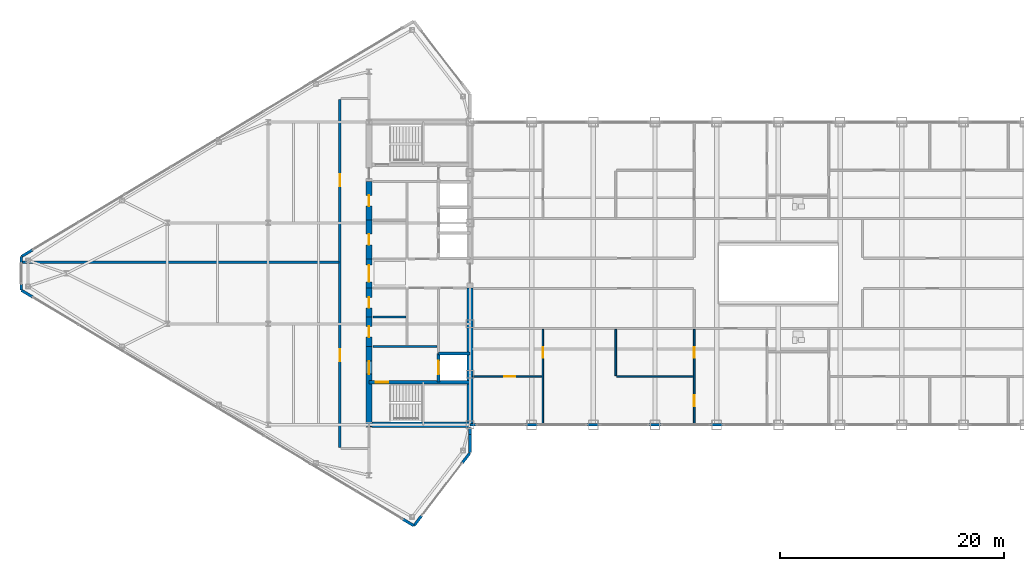
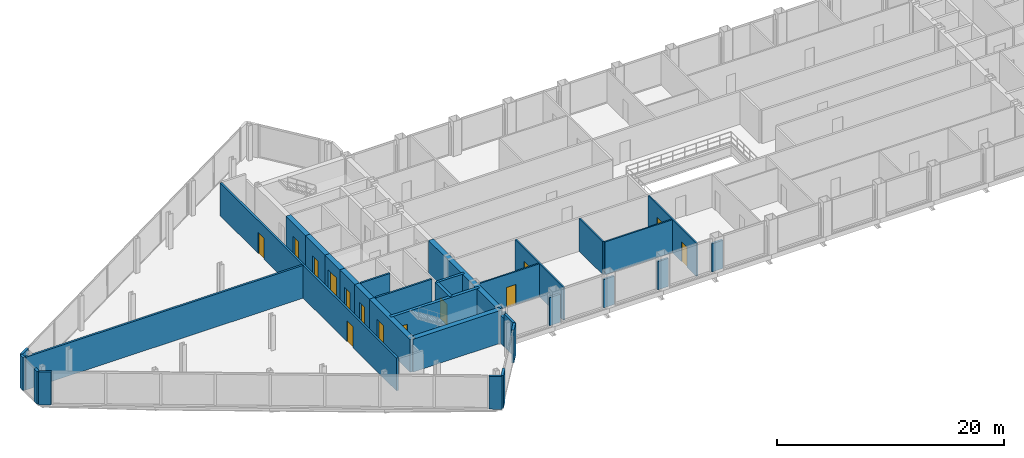
# One storey, part 21 of 29: 34 walls, 14 doors, 14 openings.
"""IFC4 building model written with IfcOpenShell, lengths in metres."""

from ifc_helpers import new_model, si_unit, direction, frame, frame_2d, origin, place, context, subcontext, project, spatial, rectangle, extrude, source, transform, mapped, material, layer, layer_set, type_object, type_shapes, element, fill, save


model = new_model("IFC4")

# Units and contexts
model_context = context("Model", 3, precision=1e-05, world=origin(), true_north=direction((0.0, 1.0)))
body_context = subcontext(model_context, "Body", "Model", "MODEL_VIEW")
ifc_project = project(units=[si_unit("LENGTHUNIT", "METRE"), si_unit("AREAUNIT", "SQUARE_METRE"), si_unit("VOLUMEUNIT", "CUBIC_METRE"), si_unit("PLANEANGLEUNIT", "RADIAN"), si_unit("MASSUNIT", "GRAM", prefix="KILO")], contexts=[model_context])

# Site, building, storey
site_placement = place(None, origin())
site = spatial("IfcSite", under=ifc_project, at=site_placement, CompositionType="ELEMENT")
building_placement = place(site_placement, origin())
building = spatial("IfcBuilding", under=site, at=building_placement, Name="Seokmaru Belvedere", CompositionType="ELEMENT")
storey_placement = place(building_placement, frame((0.0, 0.0, 258.14990234375)))
storey = spatial("IfcBuildingStorey", under=building, at=storey_placement, Name="L68", CompositionType="ELEMENT", Elevation=258.14990234375)

# Wall, opening, door
ifc_material_1 = material(Name="Fire-Rated Gypsum Shaftwall")
ifc_layer_1 = layer(ifc_material_1, 0.14990234375)
ifc_layer_set_1 = layer_set([ifc_layer_1], Name="Fire-Rated Gypsum Shaftwall")
wall_type_1 = type_object("IfcWallType", Name="Apartment Fire-Acoustic Room Partition 150", PredefinedType="PARTITIONING", material=ifc_layer_set_1)
wall_1_placement = place(storey_placement, frame((-27.2451171875, -9.199951171875, 0.0), z_axis=(0.0, 0.0, 1.0), x_axis=(1.0, 0.0, 0.0)))
wall_1 = element("IfcWall", 1, at=wall_1_placement, inside=storey, type_object=wall_type_1, Name="L68 Interior Partition 004", PredefinedType="PARTITIONING", context=body_context, shape_type="SweptSolid", body=[
    extrude(rectangle(XDim=6.16015625, YDim=0.14990234375, at=frame_2d((3.080078125, 0.0))), origin(), (0.0, 0.0, 1.0), 3.530029296875),
])
opening_1_placement = place(wall_1_placement, frame((2.820068359375, 0.0, 0.0)))
opening_1 = element("IfcOpeningElement", 2, at=opening_1_placement, cuts=wall_1, Name="Opening D05", PredefinedType="OPENING", context=body_context, shape_type="SweptSolid", body=[
    extrude(rectangle(XDim=0.949951171875, YDim=2.14990234375, at=frame_2d((0.47509765625, 1.074951171875))), frame((0.0, 0.0849609375, 0.0), z_axis=(0.0, -1.0, 0.0), x_axis=(1.0, 0.0, 0.0)), (0.0, 0.0, 1.0), 0.169921875),
])
ifc_material_2 = material(Name="Engineered White Oak Timber", Category="wood")
door_type_1 = type_object("IfcDoorType", Name="Apartment Interior Fire-Rated Oak Door 950x2150", OperationType="NOTDEFINED", PredefinedType="DOOR", material=ifc_material_2)
shared_shape_1 = source(origin(), body_context, "Body", "SweptSolid", [
    extrude(rectangle(XDim=0.949951171875, YDim=2.14990234375, at=frame_2d((0.47509765625, 1.074951171875))), frame((0.0, 0.02490234375, 0.0), z_axis=(0.0, -1.0, 0.0), x_axis=(1.0, 0.0, 0.0)), (0.0, 0.0, 1.0), 0.050048828125),
])
type_shapes(door_type_1, [shared_shape_1])
door_1_placement = place(opening_1_placement, origin())
door_1 = element("IfcDoor", 3, at=door_1_placement, inside=storey, type_object=door_type_1, Name="L68 Interior Door 024", OperationType="SINGLE_SWING_RIGHT", OverallHeight=2.14990234375, OverallWidth=0.949951171875, PredefinedType="DOOR", context=body_context, shape_type="MappedRepresentation", body=[
    mapped(shared_shape_1, transform((0.0, 0.0, 0.0), scale=1.0)),
])
fill(opening_1, door_1)

# Wall
wall_2_placement = place(storey_placement, frame((-14.4150390625, -9.199951171875, 0.0), z_axis=(0.0, 0.0, 1.0), x_axis=(1.0, 0.0, 0.0)))
element("IfcWall", 4, at=wall_2_placement, inside=storey, type_object=wall_type_1, Name="L68 Interior Partition 005", PredefinedType="PARTITIONING", context=body_context, shape_type="SweptSolid", body=[
    extrude(rectangle(XDim=6.830078125, YDim=0.14990234375, at=frame_2d((3.4150390625, 0.0))), origin(), (0.0, 0.0, 1.0), 3.530029296875),
])

# Wall, opening, door
wall_3_placement = place(storey_placement, frame((-21.0, -13.5, 0.0), z_axis=(0.0, 0.0, 1.0), x_axis=(0.0, 1.0, 0.0)))
wall_3 = element("IfcWall", 5, at=wall_3_placement, inside=storey, type_object=wall_type_1, Name="L68 Interior Partition 029", PredefinedType="PARTITIONING", context=body_context, shape_type="SweptSolid", body=[
    extrude(rectangle(XDim=8.514892578125, YDim=0.14990234375, at=frame_2d((4.25732421875, 0.0))), origin(), (0.0, 0.0, 1.0), 3.530029296875),
])
opening_2_placement = place(wall_3_placement, frame((5.97509765625, 0.0, 0.0)))
opening_2 = element("IfcOpeningElement", 6, at=opening_2_placement, cuts=wall_3, Name="Opening D05", PredefinedType="OPENING", context=body_context, shape_type="SweptSolid", body=[
    extrude(rectangle(XDim=0.949951171875, YDim=2.14990234375, at=frame_2d((0.47509765625, 1.074951171875))), frame((0.0, 0.0849609375, 0.0), z_axis=(0.0, -1.0, 0.0), x_axis=(1.0, 0.0, 0.0)), (0.0, 0.0, 1.0), 0.169921875),
])
door_2_placement = place(opening_2_placement, origin())
door_2 = element("IfcDoor", 7, at=door_2_placement, inside=storey, type_object=door_type_1, Name="L68 Interior Door 023", OperationType="SINGLE_SWING_LEFT", OverallHeight=2.14990234375, OverallWidth=0.949951171875, PredefinedType="DOOR", context=body_context, shape_type="MappedRepresentation", body=[
    mapped(shared_shape_1, transform((0.0, 0.0, 0.0), scale=1.0)),
])
fill(opening_2, door_2)

# Wall
wall_4_placement = place(storey_placement, frame((-14.5, -9.114990234375, 0.0), z_axis=(0.0, 0.0, 1.0), x_axis=(0.0, 1.0, 0.0)))
element("IfcWall", 8, at=wall_4_placement, inside=storey, type_object=wall_type_1, Name="L68 Interior Partition 031", PredefinedType="PARTITIONING", context=body_context, shape_type="SweptSolid", body=[
    extrude(rectangle(XDim=4.1298828125, YDim=0.14990234375, at=frame_2d((2.06494140625, 0.0))), origin(), (0.0, 0.0, 1.0), 3.530029296875),
])

# Wall, openings, doors
wall_5_placement = place(storey_placement, frame((-7.5, -13.5, 0.0), z_axis=(0.0, 0.0, 1.0), x_axis=(0.0, 1.0, 0.0)))
wall_5 = element("IfcWall", 9, at=wall_5_placement, inside=storey, type_object=wall_type_1, Name="L68 Interior Partition 033", PredefinedType="PARTITIONING", context=body_context, shape_type="SweptSolid", body=[
    extrude(rectangle(XDim=8.514892578125, YDim=0.14990234375, at=frame_2d((4.25732421875, 0.0))), origin(), (0.0, 0.0, 1.0), 3.530029296875),
])
opening_3_placement = place(wall_5_placement, frame((5.97509765625, 0.0, 0.0)))
opening_3 = element("IfcOpeningElement", 10, at=opening_3_placement, cuts=wall_5, Name="Opening D05", PredefinedType="OPENING", context=body_context, shape_type="SweptSolid", body=[
    extrude(rectangle(XDim=0.949951171875, YDim=2.14990234375, at=frame_2d((0.47509765625, 1.074951171875))), frame((0.0, 0.0849609375, 0.0), z_axis=(0.0, -1.0, 0.0), x_axis=(1.0, 0.0, 0.0)), (0.0, 0.0, 1.0), 0.169921875),
])
opening_4_placement = place(wall_5_placement, frame((1.675048828125, 0.0, 0.0)))
opening_4 = element("IfcOpeningElement", 11, at=opening_4_placement, cuts=wall_5, Name="Opening D05", PredefinedType="OPENING", context=body_context, shape_type="SweptSolid", body=[
    extrude(rectangle(XDim=0.949951171875, YDim=2.14990234375, at=frame_2d((0.47509765625, 1.074951171875))), frame((0.0, 0.0849609375, 0.0), z_axis=(0.0, -1.0, 0.0), x_axis=(1.0, 0.0, 0.0)), (0.0, 0.0, 1.0), 0.169921875),
])
door_3_placement = place(opening_3_placement, origin())
door_3 = element("IfcDoor", 12, at=door_3_placement, inside=storey, type_object=door_type_1, Name="L68 Interior Door 021", OperationType="SINGLE_SWING_LEFT", OverallHeight=2.14990234375, OverallWidth=0.949951171875, PredefinedType="DOOR", context=body_context, shape_type="MappedRepresentation", body=[
    mapped(shared_shape_1, transform((0.0, 0.0, 0.0), scale=1.0)),
])
fill(opening_3, door_3)
door_4_placement = place(opening_4_placement, origin())
door_4 = element("IfcDoor", 13, at=door_4_placement, inside=storey, type_object=door_type_1, Name="L68 Interior Door 022", OperationType="SINGLE_SWING_RIGHT", OverallHeight=2.14990234375, OverallWidth=0.949951171875, PredefinedType="DOOR", context=body_context, shape_type="MappedRepresentation", body=[
    mapped(shared_shape_1, transform((0.0, 0.0, 0.0), scale=1.0)),
])
fill(opening_4, door_4)

# Walls
ifc_material_3 = material(Name="Anodised Bronze Aluminium", Category="aluminium")
ifc_layer_2 = layer(ifc_material_3, 0.2099609375)
ifc_layer_set_2 = layer_set([ifc_layer_2], Name="Anodised Bronze Aluminium")
wall_type_2 = type_object("IfcWallType", Name="Bridge Column Spandrel Closure Pier 210", PredefinedType="SOLIDWALL", material=ifc_layer_set_2)
wall_6_placement = place(storey_placement, frame((-27.489990234375, -13.5, 0.0), z_axis=(0.0, 0.0, 1.0), x_axis=(1.0, 0.0, 0.0)))
element("IfcWall", 14, at=wall_6_placement, inside=storey, type_object=wall_type_2, Name="L68 Bridge South Column Closure Pier 01", PredefinedType="SOLIDWALL", context=body_context, shape_type="SweptSolid", body=[
    extrude(rectangle(XDim=0.5400390625, YDim=0.2099609375, at=frame_2d((0.27001953125, 0.0))), origin(), (0.0, 0.0, 1.0), 3.030029296875),
])
for number, where, z_axis, x_axis, name in (
    (15, (-22.550048828125, -13.5, 0.0), (0.0, 0.0, 1.0), (1.0, 0.0, 0.0), "L68 Bridge South Column Closure Pier 02"),
    (16, (-17.050048828125, -13.5, 0.0), (0.0, 0.0, 1.0), (1.0, 0.0, 0.0), "L68 Bridge South Column Closure Pier 03"),
    (17, (-11.550048828125, -13.5, 0.0), (0.0, 0.0, 1.0), (1.0, 0.0, 0.0), "L68 Bridge South Column Closure Pier 04"),
    (18, (-6.050048828125, -13.5, 0.0), (0.0, 0.0, 1.0), (1.0, 0.0, 0.0), "L68 Bridge South Column Closure Pier 05"),
):
    element("IfcWall", number, at=place(storey_placement, frame(where, z_axis=z_axis, x_axis=x_axis)), inside=storey, type_object=wall_type_2, Name=name, PredefinedType="SOLIDWALL", context=body_context, shape_type="SweptSolid", body=[
        extrude(rectangle(XDim=1.10009765625, YDim=0.2099609375, at=frame_2d((0.550048828125, 0.0))), origin(), (0.0, 0.0, 1.0), 3.030029296875),
    ])
ifc_layer_3 = layer(ifc_material_1, 0.179931640625)
ifc_layer_set_3 = layer_set([ifc_layer_3], Name="Fire-Rated Gypsum Shaftwall")
wall_type_3 = type_object("IfcWallType", Name="Core Service Fire Partition 180", PredefinedType="PARTITIONING", material=ifc_layer_set_3)
wall_7_placement = place(storey_placement, frame((-36.14990234375, -6.5, 0.0), z_axis=(0.0, 0.0, 1.0), x_axis=(1.0, 0.0, 0.0)))
element("IfcWall", 19, at=wall_7_placement, inside=storey, type_object=wall_type_3, Name="L68 West Firefighting Lobby Partition", PredefinedType="PARTITIONING", context=body_context, shape_type="SweptSolid", body=[
    extrude(rectangle(XDim=5.699951171875, YDim=0.179931640625, at=frame_2d((2.85009765625, 0.0))), origin(), (0.0, 0.0, 1.0), 3.530029296875),
])
wall_8_placement = place(storey_placement, frame((-36.14990234375, -3.89990234375, 0.0), z_axis=(0.0, 0.0, 1.0), x_axis=(1.0, 0.0, 0.0)))
element("IfcWall", 20, at=wall_8_placement, inside=storey, type_object=wall_type_3, Name="L68 West Core Service Partition 1", PredefinedType="PARTITIONING", context=body_context, shape_type="SweptSolid", body=[
    extrude(rectangle(XDim=2.949951171875, YDim=0.179931640625, at=frame_2d((1.47509765625, 0.0))), origin(), (0.0, 0.0, 1.0), 3.530029296875),
])
ifc_material_4 = material(Name="Concrete C50 (50 MPa)", Category="concrete")
ifc_layer_4 = layer(ifc_material_4, 0.25)
ifc_layer_set_4 = layer_set([ifc_layer_4], Name="Concrete C50 (50 MPa)")
wall_type_4 = type_object("IfcWallType", Name="Hoistway Transverse Concrete Divider Wall 250", PredefinedType="SHEAR", material=ifc_layer_set_4)
wall_9_placement = place(storey_placement, frame((-30.300048828125, -7.14990234375, 0.0), z_axis=(0.0, 0.0, 1.0), x_axis=(1.0, 0.0, 0.0)))
element("IfcWall", 21, at=wall_9_placement, inside=storey, type_object=wall_type_4, Name="L68 West Hoistway Divider Core Wall 1", PredefinedType="SHEAR", context=body_context, shape_type="SweptSolid", body=[
    extrude(rectangle(XDim=2.800048828125, YDim=0.25, at=frame_2d((1.39990234375, 0.0))), origin(), (0.0, 0.0, 1.0), 3.530029296875),
])
ifc_layer_5 = layer(ifc_material_1, 0.199951171875)
ifc_layer_set_5 = layer_set([ifc_layer_5], Name="Fire-Rated Gypsum Shaftwall")
wall_type_5 = type_object("IfcWallType", Name="Inter-Tenancy Fire Compartment Partition 200", PredefinedType="PARTITIONING", material=ifc_layer_set_5)
wall_10_placement = place(storey_placement, frame((-67.375, 1.0, 0.0), z_axis=(0.0, 0.0, 1.0), x_axis=(1.0, 0.0, 0.0)))
element("IfcWall", 22, at=wall_10_placement, inside=storey, type_object=wall_type_5, Name="L68 Interior Partition 015", PredefinedType="PARTITIONING", context=body_context, shape_type="SweptSolid", body=[
    extrude(rectangle(XDim=28.195068359375, YDim=0.199951171875, at=frame_2d((14.09765625, 0.0))), origin(), (0.0, 0.0, 1.0), 3.530029296875),
])

# Wall, openings, doors
wall_11_placement = place(storey_placement, frame((-39.10009765625, -15.514892578125, 0.0), z_axis=(0.0, 0.0, 1.0), x_axis=(0.0, 1.0, 0.0)))
wall_11 = element("IfcWall", 23, at=wall_11_placement, inside=storey, type_object=wall_type_5, Name="L68 Interior Partition 026", PredefinedType="PARTITIONING", context=body_context, shape_type="SweptSolid", body=[
    extrude(rectangle(XDim=31.02978515625, YDim=0.199951171875, at=frame_2d((15.514892578125, 0.0))), origin(), (0.0, 0.0, 1.0), 3.530029296875),
])
opening_5_placement = place(wall_11_placement, frame((7.68994140625, 0.0, 0.0)))
opening_5 = element("IfcOpeningElement", 24, at=opening_5_placement, cuts=wall_11, Name="Opening D03", PredefinedType="OPENING", context=body_context, shape_type="SweptSolid", body=[
    extrude(rectangle(XDim=1.050048828125, YDim=2.25, at=frame_2d((0.52490234375, 1.125))), frame((0.0, 0.10986328125, 0.0), z_axis=(0.0, -1.0, 0.0), x_axis=(1.0, 0.0, 0.0)), (0.0, 0.0, 1.0), 0.219970703125),
])
opening_6_placement = place(wall_11_placement, frame((23.2900390625, 0.0, 0.0)))
opening_6 = element("IfcOpeningElement", 25, at=opening_6_placement, cuts=wall_11, Name="Opening D03", PredefinedType="OPENING", context=body_context, shape_type="SweptSolid", body=[
    extrude(rectangle(XDim=1.050048828125, YDim=2.25, at=frame_2d((0.52490234375, 1.125))), frame((0.0, 0.10986328125, 0.0), z_axis=(0.0, -1.0, 0.0), x_axis=(1.0, 0.0, 0.0)), (0.0, 0.0, 1.0), 0.219970703125),
])
ifc_material_5 = material(Name="Fire-Rated Steel Leaf", Category="steel")
door_type_2 = type_object("IfcDoorType", Name="Apartment Entrance Fire Door 1050x2250", OperationType="NOTDEFINED", PredefinedType="DOOR", material=ifc_material_5)
shared_shape_2 = source(origin(), body_context, "Body", "SweptSolid", [
    extrude(rectangle(XDim=1.050048828125, YDim=2.25, at=frame_2d((0.52490234375, 1.125))), frame((0.0, 0.02490234375, 0.0), z_axis=(0.0, -1.0, 0.0), x_axis=(1.0, 0.0, 0.0)), (0.0, 0.0, 1.0), 0.050048828125),
])
type_shapes(door_type_2, [shared_shape_2])
door_5_placement = place(opening_5_placement, origin())
door_5 = element("IfcDoor", 26, at=door_5_placement, inside=storey, type_object=door_type_2, Name="L68 Interior Door 001", OperationType="SINGLE_SWING_RIGHT", OverallHeight=2.25, OverallWidth=1.050048828125, PredefinedType="DOOR", context=body_context, shape_type="MappedRepresentation", body=[
    mapped(shared_shape_2, transform((0.0, 0.0, 0.0), scale=1.0)),
])
fill(opening_5, door_5)
door_6_placement = place(opening_6_placement, origin())
door_6 = element("IfcDoor", 27, at=door_6_placement, inside=storey, type_object=door_type_2, Name="L68 Interior Door 002", OperationType="SINGLE_SWING_LEFT", OverallHeight=2.25, OverallWidth=1.050048828125, PredefinedType="DOOR", context=body_context, shape_type="MappedRepresentation", body=[
    mapped(shared_shape_2, transform((0.0, 0.0, 0.0), scale=1.0)),
])
fill(opening_6, door_6)

# Wall, opening, door
ifc_layer_6 = layer(ifc_material_4, 0.300048828125)
ifc_layer_set_6 = layer_set([ifc_layer_6], Name="Concrete C50 (50 MPa)")
wall_type_6 = type_object("IfcWallType", Name="Internal Core Stair and Hoistway Wall 300", PredefinedType="SHEAR", material=ifc_layer_set_6)
wall_12_placement = place(storey_placement, frame((-36.5, -9.699951171875, 0.0), z_axis=(0.0, 0.0, 1.0), x_axis=(1.0, 0.0, 0.0)))
wall_12 = element("IfcWall", 28, at=wall_12_placement, inside=storey, type_object=wall_type_6, Name="L68 West Stair ST-1 Enclosure Wall", PredefinedType="SHEAR", context=body_context, shape_type="SweptSolid", body=[
    extrude(rectangle(XDim=9.0, YDim=0.300048828125, at=frame_2d((4.5, 0.0))), origin(), (0.0, 0.0, 1.0), 3.530029296875),
])
opening_7_placement = place(wall_12_placement, frame((0.60009765625, 0.0, 0.0)))
opening_7 = element("IfcOpeningElement", 29, at=opening_7_placement, cuts=wall_12, Name="Opening D01", PredefinedType="OPENING", context=body_context, shape_type="SweptSolid", body=[
    extrude(rectangle(XDim=1.10009765625, YDim=2.199951171875, at=frame_2d((0.550048828125, 1.10009765625))), frame((0.0, 0.16015625, 0.0), z_axis=(0.0, -1.0, 0.0), x_axis=(1.0, 0.0, 0.0)), (0.0, 0.0, 1.0), 0.320068359375),
])
door_type_3 = type_object("IfcDoorType", Name="Special Escape Stair Smokeproof Fire Door 1100x2200", OperationType="NOTDEFINED", PredefinedType="DOOR", material=ifc_material_5)
shared_shape_3 = source(origin(), body_context, "Body", "SweptSolid", [
    extrude(rectangle(XDim=1.10009765625, YDim=2.199951171875, at=frame_2d((0.550048828125, 1.10009765625))), frame((0.0, 0.02490234375, 0.0), z_axis=(0.0, -1.0, 0.0), x_axis=(1.0, 0.0, 0.0)), (0.0, 0.0, 1.0), 0.050048828125),
])
type_shapes(door_type_3, [shared_shape_3])
door_7_placement = place(opening_7_placement, frame((1.10009765625, 0.0, 0.0), z_axis=(0.0, 0.0, 1.0), x_axis=(-1.0, 0.0, 0.0)))
door_7 = element("IfcDoor", 30, at=door_7_placement, inside=storey, type_object=door_type_3, Name="L68 West Special Escape Stair ST-1 Door", OperationType="SINGLE_SWING_LEFT", OverallHeight=2.199951171875, OverallWidth=1.10009765625, PredefinedType="DOOR", context=body_context, shape_type="MappedRepresentation", body=[
    mapped(shared_shape_3, transform((0.0, 0.0, 0.0), scale=1.0)),
])
fill(opening_7, door_7)

wall_13_placement = place(storey_placement, frame((-30.300048828125, -9.679931640625, 0.0), z_axis=(0.0, 0.0, 1.0), x_axis=(0.0, 1.0, 0.0)))
wall_13 = element("IfcWall", 31, at=wall_13_placement, inside=storey, type_object=wall_type_6, Name="L68 West Firefighting Lift Shaft Front Wall", PredefinedType="SHEAR", context=body_context, shape_type="SweptSolid", body=[
    extrude(rectangle(XDim=2.559814453125, YDim=0.300048828125, at=frame_2d((1.27978515625, 0.0))), origin(), (0.0, 0.0, 1.0), 3.530029296875),
])
opening_8_placement = place(wall_13_placement, frame((0.679931640625, 0.0, 0.0)))
opening_8 = element("IfcOpeningElement", 32, at=opening_8_placement, cuts=wall_13, Name="Opening LD2", PredefinedType="OPENING", context=body_context, shape_type="SweptSolid", body=[
    extrude(rectangle(XDim=1.199951171875, YDim=2.25, at=frame_2d((0.60009765625, 1.125))), frame((0.0, 0.16015625, 0.0), z_axis=(0.0, -1.0, 0.0), x_axis=(1.0, 0.0, 0.0)), (0.0, 0.0, 1.0), 0.320068359375),
])
ifc_material_6 = material(Name="Stainless Steel 316", Category="steel")
door_type_4 = type_object("IfcDoorType", Name="Firefighting Lift Sliding Landing Door 1200x2250", OperationType="DOUBLE_DOOR_SLIDING", PredefinedType="DOOR", material=ifc_material_6)
shared_shape_4 = source(origin(), body_context, "Body", "SweptSolid", [
    extrude(rectangle(XDim=1.199951171875, YDim=2.25, at=frame_2d((0.60009765625, 1.125))), frame((0.0, 0.02490234375, 0.0), z_axis=(0.0, -1.0, 0.0), x_axis=(1.0, 0.0, 0.0)), (0.0, 0.0, 1.0), 0.050048828125),
])
type_shapes(door_type_4, [shared_shape_4])
door_8_placement = place(opening_8_placement, origin())
door_8 = element("IfcDoor", 33, at=door_8_placement, inside=storey, type_object=door_type_4, Name="L68 West Firefighting Lift Landing Door", OperationType="DOUBLE_DOOR_SLIDING", OverallHeight=2.25, OverallWidth=1.199951171875, PredefinedType="DOOR", context=body_context, shape_type="MappedRepresentation", body=[
    mapped(shared_shape_4, transform((0.0, 0.0, 0.0), scale=1.0)),
])
fill(opening_8, door_8)

# Walls
ifc_layer_7 = layer(ifc_material_3, 0.239990234375)
ifc_layer_set_7 = layer_set([ifc_layer_7], Name="Anodised Bronze Aluminium")
wall_type_7 = type_object("IfcWallType", Name="Tower Corner Spandrel Closure Wall 240", PredefinedType="SOLIDWALL", material=ifc_layer_set_7)
wall_14_placement = place(storey_placement, frame((-27.5, -15.97998046875, 0.0), z_axis=(0.0, 0.0, 1.0), x_axis=(0.0, 1.0, 0.0)))
element("IfcWall", 34, at=wall_14_placement, inside=storey, type_object=wall_type_7, Name="L68 W Shoulder Closure Wall 1", PredefinedType="SOLIDWALL", context=body_context, shape_type="SweptSolid", body=[
    extrude(rectangle(XDim=1.605224609375, YDim=0.239990234375, at=frame_2d((0.802734375, 0.0))), origin(), (0.0, 0.0, 1.0), 3.530029296875),
])
wall_15_placement = place(storey_placement, frame((-27.5, -14.374755859375, 0.0), z_axis=(0.0, 0.0, 1.0), x_axis=(0.0, 1.0, 0.0)))
element("IfcWall", 35, at=wall_15_placement, inside=storey, type_object=wall_type_7, Name="L68 W Shoulder Closure Wall 1 Part 2", PredefinedType="SOLIDWALL", context=body_context, shape_type="SweptSolid", body=[
    extrude(rectangle(XDim=0.619873046875, YDim=0.239990234375, at=frame_2d((0.31005859375, 0.0))), origin(), (0.0, 0.0, 1.0), 3.030029296875),
])
wall_16_placement = place(storey_placement, frame((-66.513916015625, 2.091796875, 0.0), z_axis=(0.0, 0.0, 1.0), x_axis=(-0.85743623509, -0.514590228002, 0.0)))
element("IfcWall", 36, at=wall_16_placement, inside=storey, type_object=wall_type_7, Name="L68 W Corner Closure Pier 3B", PredefinedType="SOLIDWALL", context=body_context, shape_type="SweptSolid", body=[
    extrude(rectangle(XDim=1.14013671875, YDim=0.239990234375, at=frame_2d((0.570068359375, 0.0))), origin(), (0.0, 0.0, 1.0), 3.530029296875),
])
for number, where, z_axis, x_axis, name in (
    (37, (-67.5, 1.489990234375, 0.0), (0.0, 0.0, 1.0), (0.0, -1.0, 0.0), "L68 W Apex Closure Pier 4A"),
    (38, (-67.5, -0.949951171875, 0.0), (0.0, 0.0, 1.0), (0.0, -1.0, 0.0), "L68 W Apex Closure Pier 4B"),
):
    element("IfcWall", number, at=place(storey_placement, frame(where, z_axis=z_axis, x_axis=x_axis)), inside=storey, type_object=wall_type_7, Name=name, PredefinedType="SOLIDWALL", context=body_context, shape_type="SweptSolid", body=[
        extrude(rectangle(XDim=0.5400390625, YDim=0.239990234375, at=frame_2d((0.27001953125, 0.0))), origin(), (0.0, 0.0, 1.0), 3.530029296875),
    ])
for number, where, z_axis, x_axis, name in (
    (39, (-67.491455078125, -1.505126953125, 0.0), (0.0, 0.0, 1.0), (0.85743623509, -0.514590228002, 0.0), "L68 W Corner Closure Pier 5A"),
    (40, (-33.486083984375, -21.908203125, 0.0), (0.0, 0.0, 1.0), (0.85743623509, -0.514590228002, 0.0), "L68 W Corner Closure Pier 5B"),
    (41, (-32.493896484375, -22.4921875, 0.0), (0.0, 0.0, 1.0), (0.609617623633, 0.792695624408, 0.0), "L68 W Corner Closure Pier 6A"),
    (42, (-28.201171875, -16.91162109375, 0.0), (0.0, 0.0, 1.0), (0.609617623633, 0.792695624408, 0.0), "L68 W Corner Closure Pier 6B"),
):
    element("IfcWall", number, at=place(storey_placement, frame(where, z_axis=z_axis, x_axis=x_axis)), inside=storey, type_object=wall_type_7, Name=name, PredefinedType="SOLIDWALL", context=body_context, shape_type="SweptSolid", body=[
        extrude(rectangle(XDim=1.14013671875, YDim=0.239990234375, at=frame_2d((0.570068359375, 0.0))), origin(), (0.0, 0.0, 1.0), 3.530029296875),
    ])
ifc_layer_8 = layer(ifc_material_4, 0.5)
ifc_layer_set_8 = layer_set([ifc_layer_8], Name="Concrete C50 (50 MPa)")
wall_type_8 = type_object("IfcWallType", Name="Upper Tower Reinforced Concrete Core Wall 500", PredefinedType="SHEAR", material=ifc_layer_set_8)
wall_17_placement = place(storey_placement, frame((-27.5, -13.5, 0.0), z_axis=(0.0, 0.0, 1.0), x_axis=(0.0, 1.0, 0.0)))
element("IfcWall", 43, at=wall_17_placement, inside=storey, type_object=wall_type_8, Name="L68 West Portal Spine Core Wall South", PredefinedType="SHEAR", context=body_context, shape_type="SweptSolid", body=[
    extrude(rectangle(XDim=12.199951171875, YDim=0.5, at=frame_2d((6.10009765625, 0.0))), origin(), (0.0, 0.0, 1.0), 3.530029296875),
])
wall_18_placement = place(storey_placement, frame((-36.5, -13.5, 0.0), z_axis=(0.0, 0.0, 1.0), x_axis=(1.0, 0.0, 0.0)))
element("IfcWall", 44, at=wall_18_placement, inside=storey, type_object=wall_type_8, Name="L68 West South Core Wall", PredefinedType="SHEAR", context=body_context, shape_type="SweptSolid", body=[
    extrude(rectangle(XDim=9.0, YDim=0.5, at=frame_2d((4.5, 0.0))), origin(), (0.0, 0.0, 1.0), 3.530029296875),
])

# Wall, opening, door
wall_19_placement = place(storey_placement, frame((-36.5, -13.64990234375, 0.0), z_axis=(0.0, 0.0, 1.0), x_axis=(0.0, 1.0, 0.0)))
wall_19 = element("IfcWall", 45, at=wall_19_placement, inside=storey, type_object=wall_type_8, Name="L68 West West Core Wall FF", PredefinedType="SHEAR", context=body_context, shape_type="SweptSolid", body=[
    extrude(rectangle(XDim=7.14990234375, YDim=0.5, at=frame_2d((3.574951171875, 0.0))), origin(), (0.0, 0.0, 1.0), 3.530029296875),
])
opening_9_placement = place(wall_19_placement, frame((4.675048828125, 0.0, 0.0)))
opening_9 = element("IfcOpeningElement", 46, at=opening_9_placement, cuts=wall_19, Name="Opening D02", PredefinedType="OPENING", context=body_context, shape_type="SweptSolid", body=[
    extrude(rectangle(XDim=1.14990234375, YDim=2.199951171875, at=frame_2d((0.574951171875, 1.10009765625))), frame((0.0, 0.260009765625, 0.0), z_axis=(0.0, -1.0, 0.0), x_axis=(1.0, 0.0, 0.0)), (0.0, 0.0, 1.0), 0.52001953125),
])
door_type_5 = type_object("IfcDoorType", Name="Lobby and Vestibule Fire Door 1150x2200", OperationType="NOTDEFINED", PredefinedType="DOOR", material=ifc_material_5)
shared_shape_5 = source(origin(), body_context, "Body", "SweptSolid", [
    extrude(rectangle(XDim=1.14990234375, YDim=2.199951171875, at=frame_2d((0.574951171875, 1.10009765625))), frame((0.0, 0.02490234375, 0.0), z_axis=(0.0, -1.0, 0.0), x_axis=(1.0, 0.0, 0.0)), (0.0, 0.0, 1.0), 0.050048828125),
])
type_shapes(door_type_5, [shared_shape_5])
door_9_placement = place(opening_9_placement, frame((1.14990234375, 0.0, 0.0), z_axis=(0.0, 0.0, 1.0), x_axis=(-1.0, 0.0, 0.0)))
door_9 = element("IfcDoor", 47, at=door_9_placement, inside=storey, type_object=door_type_5, Name="L68 West Firefighting Lobby Door", OperationType="SINGLE_SWING_LEFT", OverallHeight=2.199951171875, OverallWidth=1.14990234375, PredefinedType="DOOR", context=body_context, shape_type="MappedRepresentation", body=[
    mapped(shared_shape_5, transform((0.0, 0.0, 0.0), scale=1.0)),
])
fill(opening_9, door_9)

wall_20_placement = place(storey_placement, frame((-36.5, -1.300048828125, 0.0), z_axis=(0.0, 0.0, 1.0), x_axis=(0.0, 1.0, 0.0)))
wall_20 = element("IfcWall", 48, at=wall_20_placement, inside=storey, type_object=wall_type_8, Name="L68 West West Core Wall FOY", PredefinedType="SHEAR", context=body_context, shape_type="SweptSolid", body=[
    extrude(rectangle(XDim=2.60009765625, YDim=0.5, at=frame_2d((1.300048828125, 0.0))), origin(), (0.0, 0.0, 1.0), 3.530029296875),
])
opening_10_placement = place(wall_20_placement, frame((0.550048828125, 0.0, 0.0)))
opening_10 = element("IfcOpeningElement", 49, at=opening_10_placement, cuts=wall_20, Name="Opening D08", PredefinedType="OPENING", context=body_context, shape_type="SweptSolid", body=[
    extrude(rectangle(XDim=1.5, YDim=2.300048828125, at=frame_2d((0.75, 1.14990234375))), frame((0.0, 0.260009765625, 0.0), z_axis=(0.0, -1.0, 0.0), x_axis=(1.0, 0.0, 0.0)), (0.0, 0.0, 1.0), 0.52001953125),
])
door_type_6 = type_object("IfcDoorType", Name="Cross-Corridor Compartment Double Fire Door 1500x2300", OperationType="DOUBLE_SWING_LEFT", PredefinedType="DOOR", material=ifc_material_5)
shared_shape_6 = source(origin(), body_context, "Body", "SweptSolid", [
    extrude(rectangle(XDim=1.5, YDim=2.300048828125, at=frame_2d((0.75, 1.14990234375))), frame((0.0, 0.02490234375, 0.0), z_axis=(0.0, -1.0, 0.0), x_axis=(1.0, 0.0, 0.0)), (0.0, 0.0, 1.0), 0.050048828125),
])
type_shapes(door_type_6, [shared_shape_6])
door_10_placement = place(opening_10_placement, origin())
door_10 = element("IfcDoor", 50, at=door_10_placement, inside=storey, type_object=door_type_6, Name="L68 West Core Foyer Compartment Door", OperationType="DOUBLE_SWING_LEFT", OverallHeight=2.300048828125, OverallWidth=1.5, PredefinedType="DOOR", context=body_context, shape_type="MappedRepresentation", body=[
    mapped(shared_shape_6, transform((0.0, 0.0, 0.0), scale=1.0)),
])
fill(opening_10, door_10)

wall_21_placement = place(storey_placement, frame((-36.5, -6.5, 0.0), z_axis=(0.0, 0.0, 1.0), x_axis=(0.0, 1.0, 0.0)))
wall_21 = element("IfcWall", 51, at=wall_21_placement, inside=storey, type_object=wall_type_8, Name="L68 West West Core Wall CS1", PredefinedType="SHEAR", context=body_context, shape_type="SweptSolid", body=[
    extrude(rectangle(XDim=2.60009765625, YDim=0.5, at=frame_2d((1.300048828125, 0.0))), origin(), (0.0, 0.0, 1.0), 3.530029296875),
])
opening_11_placement = place(wall_21_placement, frame((0.824951171875, 0.0, 0.0)))
opening_11 = element("IfcOpeningElement", 52, at=opening_11_placement, cuts=wall_21, Name="Opening D04", PredefinedType="OPENING", context=body_context, shape_type="SweptSolid", body=[
    extrude(rectangle(XDim=0.949951171875, YDim=2.14990234375, at=frame_2d((0.47509765625, 1.074951171875))), frame((0.0, 0.260009765625, 0.0), z_axis=(0.0, -1.0, 0.0), x_axis=(1.0, 0.0, 0.0)), (0.0, 0.0, 1.0), 0.52001953125),
])
door_type_7 = type_object("IfcDoorType", Name="Core Service Room Fire Door 950x2150", OperationType="NOTDEFINED", PredefinedType="DOOR", material=ifc_material_5)
shared_shape_7 = source(origin(), body_context, "Body", "SweptSolid", [
    extrude(rectangle(XDim=0.949951171875, YDim=2.14990234375, at=frame_2d((0.47509765625, 1.074951171875))), frame((0.0, 0.02490234375, 0.0), z_axis=(0.0, -1.0, 0.0), x_axis=(1.0, 0.0, 0.0)), (0.0, 0.0, 1.0), 0.050048828125),
])
type_shapes(door_type_7, [shared_shape_7])
door_11_placement = place(opening_11_placement, origin())
door_11 = element("IfcDoor", 53, at=door_11_placement, inside=storey, type_object=door_type_7, Name="L68 West Core Service Room Door 1", OperationType="SINGLE_SWING_LEFT", OverallHeight=2.14990234375, OverallWidth=0.949951171875, PredefinedType="DOOR", context=body_context, shape_type="MappedRepresentation", body=[
    mapped(shared_shape_7, transform((0.0, 0.0, 0.0), scale=1.0)),
])
fill(opening_11, door_11)

wall_22_placement = place(storey_placement, frame((-36.5, -3.89990234375, 0.0), z_axis=(0.0, 0.0, 1.0), x_axis=(0.0, 1.0, 0.0)))
wall_22 = element("IfcWall", 54, at=wall_22_placement, inside=storey, type_object=wall_type_8, Name="L68 West West Core Wall CS2", PredefinedType="SHEAR", context=body_context, shape_type="SweptSolid", body=[
    extrude(rectangle(XDim=2.599853515625, YDim=0.5, at=frame_2d((1.2998046875, 0.0))), origin(), (0.0, 0.0, 1.0), 3.530029296875),
])
opening_12_placement = place(wall_22_placement, frame((0.824951171875, 0.0, 0.0)))
opening_12 = element("IfcOpeningElement", 55, at=opening_12_placement, cuts=wall_22, Name="Opening D04", PredefinedType="OPENING", context=body_context, shape_type="SweptSolid", body=[
    extrude(rectangle(XDim=0.949951171875, YDim=2.14990234375, at=frame_2d((0.47509765625, 1.074951171875))), frame((0.0, 0.260009765625, 0.0), z_axis=(0.0, -1.0, 0.0), x_axis=(1.0, 0.0, 0.0)), (0.0, 0.0, 1.0), 0.52001953125),
])
door_12_placement = place(opening_12_placement, origin())
door_12 = element("IfcDoor", 56, at=door_12_placement, inside=storey, type_object=door_type_7, Name="L68 West Core Service Room Door 2", OperationType="SINGLE_SWING_RIGHT", OverallHeight=2.14990234375, OverallWidth=0.949951171875, PredefinedType="DOOR", context=body_context, shape_type="MappedRepresentation", body=[
    mapped(shared_shape_7, transform((0.0, 0.0, 0.0), scale=1.0)),
])
fill(opening_12, door_12)

wall_23_placement = place(storey_placement, frame((-36.5, 1.300048828125, 0.0), z_axis=(0.0, 0.0, 1.0), x_axis=(0.0, 1.0, 0.0)))
wall_23 = element("IfcWall", 57, at=wall_23_placement, inside=storey, type_object=wall_type_8, Name="L68 West West Core Wall CS3", PredefinedType="SHEAR", context=body_context, shape_type="SweptSolid", body=[
    extrude(rectangle(XDim=3.449951171875, YDim=0.5, at=frame_2d((1.72509765625, 0.0))), origin(), (0.0, 0.0, 1.0), 3.530029296875),
])
opening_13_placement = place(wall_23_placement, frame((1.25, 0.0, 0.0)))
opening_13 = element("IfcOpeningElement", 58, at=opening_13_placement, cuts=wall_23, Name="Opening D04", PredefinedType="OPENING", context=body_context, shape_type="SweptSolid", body=[
    extrude(rectangle(XDim=0.949951171875, YDim=2.14990234375, at=frame_2d((0.47509765625, 1.074951171875))), frame((0.0, 0.260009765625, 0.0), z_axis=(0.0, -1.0, 0.0), x_axis=(1.0, 0.0, 0.0)), (0.0, 0.0, 1.0), 0.52001953125),
])
door_13_placement = place(opening_13_placement, origin())
door_13 = element("IfcDoor", 59, at=door_13_placement, inside=storey, type_object=door_type_7, Name="L68 West Core Service Room Door 3", OperationType="SINGLE_SWING_LEFT", OverallHeight=2.14990234375, OverallWidth=0.949951171875, PredefinedType="DOOR", context=body_context, shape_type="MappedRepresentation", body=[
    mapped(shared_shape_7, transform((0.0, 0.0, 0.0), scale=1.0)),
])
fill(opening_13, door_13)

wall_24_placement = place(storey_placement, frame((-36.5, 4.75, 0.0), z_axis=(0.0, 0.0, 1.0), x_axis=(0.0, 1.0, 0.0)))
wall_24 = element("IfcWall", 60, at=wall_24_placement, inside=storey, type_object=wall_type_8, Name="L68 West West Core Wall CS4", PredefinedType="SHEAR", context=body_context, shape_type="SweptSolid", body=[
    extrude(rectangle(XDim=3.449951171875, YDim=0.5, at=frame_2d((1.72509765625, 0.0))), origin(), (0.0, 0.0, 1.0), 3.530029296875),
])
opening_14_placement = place(wall_24_placement, frame((1.25, 0.0, 0.0)))
opening_14 = element("IfcOpeningElement", 61, at=opening_14_placement, cuts=wall_24, Name="Opening D04", PredefinedType="OPENING", context=body_context, shape_type="SweptSolid", body=[
    extrude(rectangle(XDim=0.949951171875, YDim=2.14990234375, at=frame_2d((0.47509765625, 1.074951171875))), frame((0.0, 0.260009765625, 0.0), z_axis=(0.0, -1.0, 0.0), x_axis=(1.0, 0.0, 0.0)), (0.0, 0.0, 1.0), 0.52001953125),
])
door_14_placement = place(opening_14_placement, origin())
door_14 = element("IfcDoor", 62, at=door_14_placement, inside=storey, type_object=door_type_7, Name="L68 West Core Service Room Door 4", OperationType="SINGLE_SWING_RIGHT", OverallHeight=2.14990234375, OverallWidth=0.949951171875, PredefinedType="DOOR", context=body_context, shape_type="MappedRepresentation", body=[
    mapped(shared_shape_7, transform((0.0, 0.0, 0.0), scale=1.0)),
])
fill(opening_14, door_14)

save(model, "model.ifc")
